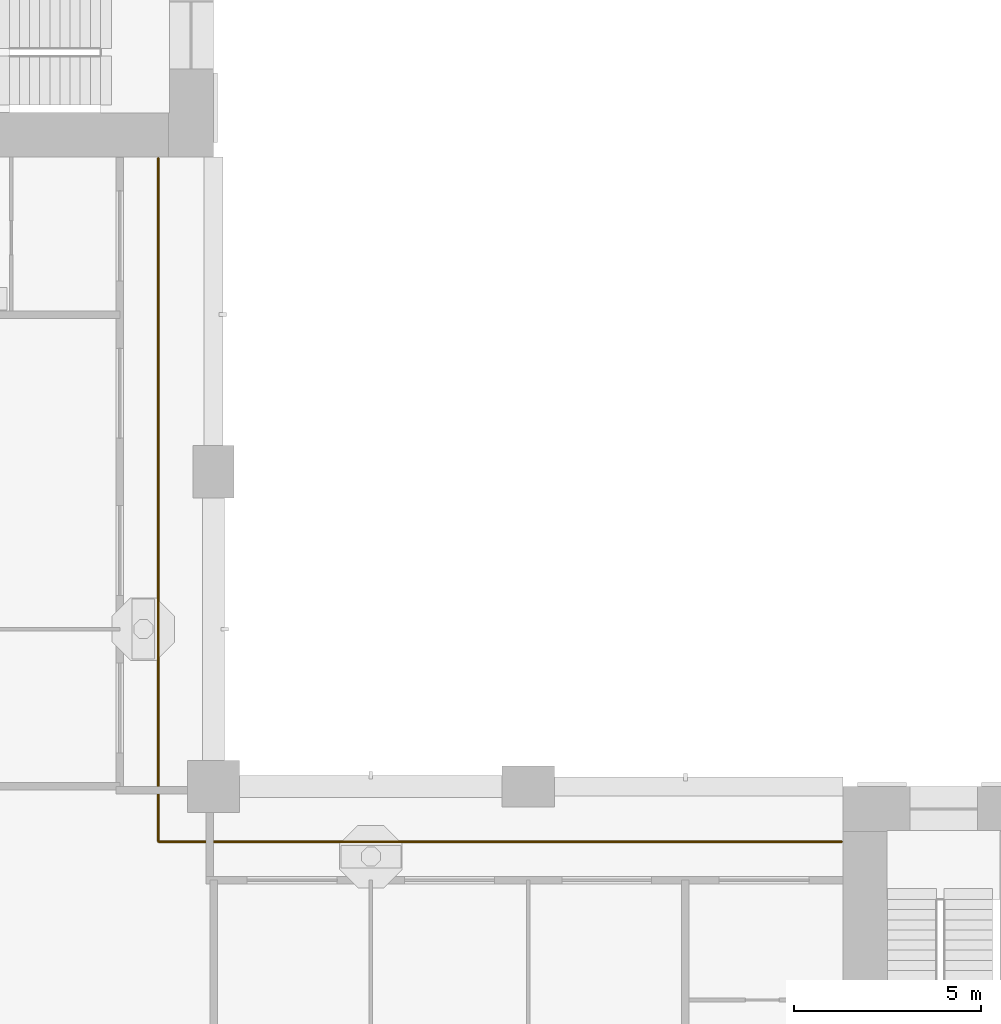
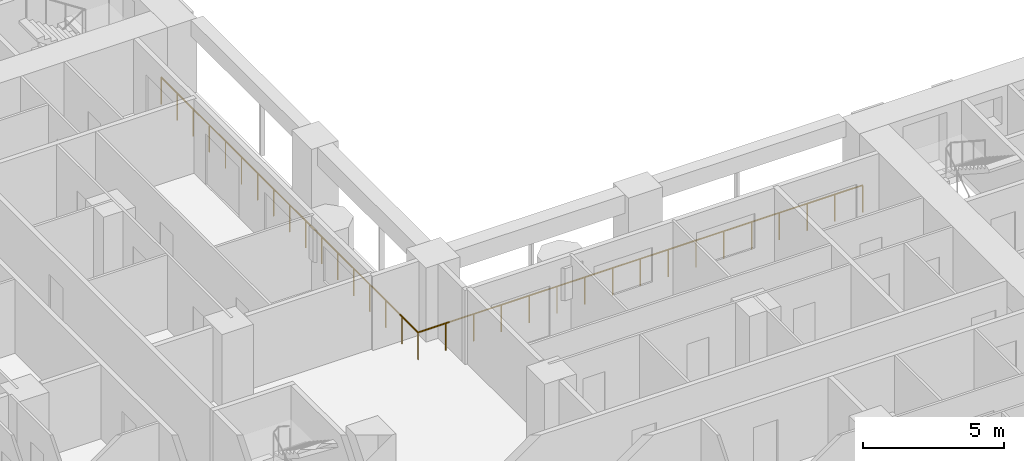
# One storey, part 16 of 20: 1 railing.
"""IFC4 building model written with IfcOpenShell, lengths in metres."""

from ifc_helpers import new_model, si_unit, direction, frame, origin, origin_2d, place, context, subcontext, project, spatial, circle, extrude, material, type_object, element, save


model = new_model("IFC4")

# Units and contexts
model_context = context("Model", 3, precision=1e-05, world=origin(), true_north=direction((0.0, 1.0)))
body_context = subcontext(model_context, "Body", "Model", "MODEL_VIEW")
ifc_project = project(units=[si_unit("LENGTHUNIT", "METRE"), si_unit("AREAUNIT", "SQUARE_METRE"), si_unit("VOLUMEUNIT", "CUBIC_METRE"), si_unit("PLANEANGLEUNIT", "RADIAN"), si_unit("MASSUNIT", "GRAM", prefix="KILO")], contexts=[model_context])

# Site, building, storey
site_placement = place(None, origin())
site = spatial("IfcSite", under=ifc_project, at=site_placement, CompositionType="ELEMENT")
building_placement = place(site_placement, origin())
building = spatial("IfcBuilding", under=site, at=building_placement, Name="Vermilion Gate Residences", CompositionType="ELEMENT")
storey_placement = place(building_placement, frame((0.0, 0.0, 42.699951171875)))
storey = spatial("IfcBuildingStorey", under=building, at=storey_placement, Name="L09", CompositionType="ELEMENT", Elevation=42.699951171875)

# Railing
ifc_material = material(Name="Stainless steel and toughened glass", Category="steel")
railing_type = type_object("IfcRailingType", Name="LOGGIA GUARD STEEL AND GLASS 1200", PredefinedType="GUARDRAIL", material=ifc_material)
railing_placement = place(storey_placement, frame((41.97802734375, 23.72509765625, 0.0)))
element("IfcRailing", 1, at=railing_placement, inside=storey, type_object=railing_type, Name="Loggia guard", PredefinedType="GUARDRAIL", context=body_context, shape_type="SweptSolid", body=[
    extrude(circle(Radius=0.030029296875, at=origin_2d()), frame((0.0, 0.0, 1.169921875), z_axis=(-1.0, 0.0, 0.0), x_axis=(0.0, -1.0, 0.0)), (0.0, 0.0, 1.0), 18.2529296875),
    extrude(circle(Radius=0.030029296875, at=origin_2d()), frame((-18.2529296875, 0.0, 1.169921875), z_axis=(0.0, 1.0, 0.0), x_axis=(-1.0, 0.0, 0.0)), (0.0, 0.0, 1.0), 18.2529296875),
    extrude(circle(Radius=0.02490234375, at=origin_2d()), origin(), (0.0, 0.0, 1.0), 1.139892578125),
    extrude(circle(Radius=0.02490234375, at=origin_2d()), frame((-1.140869140625, 0.0, 0.0)), (0.0, 0.0, 1.0), 1.139892578125),
    extrude(circle(Radius=0.02490234375, at=origin_2d()), frame((-2.28173828125, 0.0, 0.0)), (0.0, 0.0, 1.0), 1.139892578125),
    extrude(circle(Radius=0.02490234375, at=origin_2d()), frame((-3.42236328125, 0.0, 0.0)), (0.0, 0.0, 1.0), 1.139892578125),
    extrude(circle(Radius=0.02490234375, at=origin_2d()), frame((-4.563232421875, 0.0, 0.0)), (0.0, 0.0, 1.0), 1.139892578125),
    extrude(circle(Radius=0.02490234375, at=origin_2d()), frame((-5.7041015625, 0.0, 0.0)), (0.0, 0.0, 1.0), 1.139892578125),
    extrude(circle(Radius=0.02490234375, at=origin_2d()), frame((-6.8447265625, 0.0, 0.0)), (0.0, 0.0, 1.0), 1.139892578125),
    extrude(circle(Radius=0.02490234375, at=origin_2d()), frame((-7.985595703125, 0.0, 0.0)), (0.0, 0.0, 1.0), 1.139892578125),
    extrude(circle(Radius=0.02490234375, at=origin_2d()), frame((-9.12646484375, 0.0, 0.0)), (0.0, 0.0, 1.0), 1.139892578125),
    extrude(circle(Radius=0.02490234375, at=origin_2d()), frame((-10.267333984375, 0.0, 0.0)), (0.0, 0.0, 1.0), 1.139892578125),
    extrude(circle(Radius=0.02490234375, at=origin_2d()), frame((-11.408203125, 0.0, 0.0)), (0.0, 0.0, 1.0), 1.139892578125),
    extrude(circle(Radius=0.02490234375, at=origin_2d()), frame((-12.548828125, 0.0, 0.0)), (0.0, 0.0, 1.0), 1.139892578125),
    extrude(circle(Radius=0.02490234375, at=origin_2d()), frame((-13.689697265625, 0.0, 0.0)), (0.0, 0.0, 1.0), 1.139892578125),
    extrude(circle(Radius=0.02490234375, at=origin_2d()), frame((-14.83056640625, 0.0, 0.0)), (0.0, 0.0, 1.0), 1.139892578125),
    extrude(circle(Radius=0.02490234375, at=origin_2d()), frame((-15.97119140625, 0.0, 0.0)), (0.0, 0.0, 1.0), 1.139892578125),
    extrude(circle(Radius=0.02490234375, at=origin_2d()), frame((-17.112060546875, 0.0, 0.0)), (0.0, 0.0, 1.0), 1.139892578125),
    extrude(circle(Radius=0.02490234375, at=origin_2d()), frame((-18.2529296875, 0.0, 0.0)), (0.0, 0.0, 1.0), 1.139892578125),
    extrude(circle(Radius=0.02490234375, at=origin_2d()), frame((-18.2529296875, 1.140869140625, 0.0)), (0.0, 0.0, 1.0), 1.139892578125),
    extrude(circle(Radius=0.02490234375, at=origin_2d()), frame((-18.2529296875, 2.28173828125, 0.0)), (0.0, 0.0, 1.0), 1.139892578125),
    extrude(circle(Radius=0.02490234375, at=origin_2d()), frame((-18.2529296875, 3.42236328125, 0.0)), (0.0, 0.0, 1.0), 1.139892578125),
    extrude(circle(Radius=0.02490234375, at=origin_2d()), frame((-18.2529296875, 4.563232421875, 0.0)), (0.0, 0.0, 1.0), 1.139892578125),
    extrude(circle(Radius=0.02490234375, at=origin_2d()), frame((-18.2529296875, 5.7041015625, 0.0)), (0.0, 0.0, 1.0), 1.139892578125),
    extrude(circle(Radius=0.02490234375, at=origin_2d()), frame((-18.2529296875, 6.8447265625, 0.0)), (0.0, 0.0, 1.0), 1.139892578125),
    extrude(circle(Radius=0.02490234375, at=origin_2d()), frame((-18.2529296875, 7.985595703125, 0.0)), (0.0, 0.0, 1.0), 1.139892578125),
    extrude(circle(Radius=0.02490234375, at=origin_2d()), frame((-18.2529296875, 9.12646484375, 0.0)), (0.0, 0.0, 1.0), 1.139892578125),
    extrude(circle(Radius=0.02490234375, at=origin_2d()), frame((-18.2529296875, 10.267333984375, 0.0)), (0.0, 0.0, 1.0), 1.139892578125),
    extrude(circle(Radius=0.02490234375, at=origin_2d()), frame((-18.2529296875, 11.408203125, 0.0)), (0.0, 0.0, 1.0), 1.139892578125),
    extrude(circle(Radius=0.02490234375, at=origin_2d()), frame((-18.2529296875, 12.548828125, 0.0)), (0.0, 0.0, 1.0), 1.139892578125),
    extrude(circle(Radius=0.02490234375, at=origin_2d()), frame((-18.2529296875, 13.689697265625, 0.0)), (0.0, 0.0, 1.0), 1.139892578125),
    extrude(circle(Radius=0.02490234375, at=origin_2d()), frame((-18.2529296875, 14.83056640625, 0.0)), (0.0, 0.0, 1.0), 1.139892578125),
    extrude(circle(Radius=0.02490234375, at=origin_2d()), frame((-18.2529296875, 15.97119140625, 0.0)), (0.0, 0.0, 1.0), 1.139892578125),
    extrude(circle(Radius=0.02490234375, at=origin_2d()), frame((-18.2529296875, 17.112060546875, 0.0)), (0.0, 0.0, 1.0), 1.139892578125),
    extrude(circle(Radius=0.02490234375, at=origin_2d()), frame((-18.2529296875, 18.2529296875, 0.0)), (0.0, 0.0, 1.0), 1.139892578125),
])

save(model, "model.ifc")
